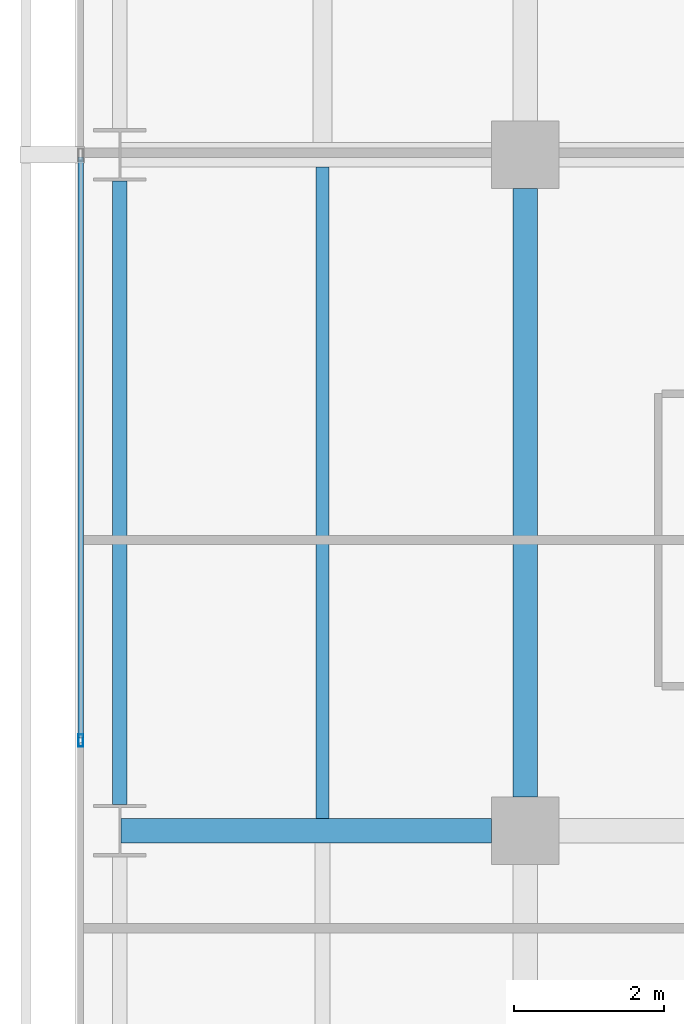
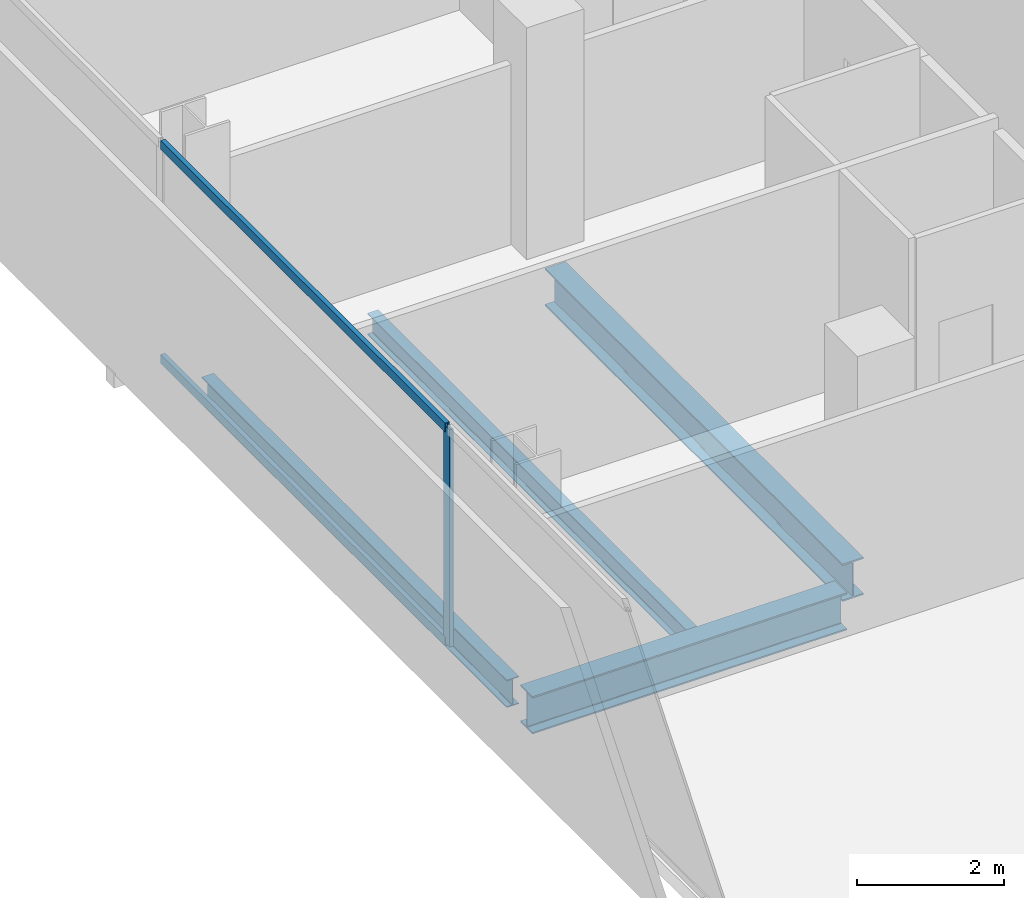
# One storey, part 10 of 39: 4 beams, 3 members, 1 element without a shape of its own.
"""IFC4 building model written with IfcOpenShell, lengths in metres."""

from ifc_helpers import new_model, si_unit, direction, frame, origin, origin_2d, place, context, subcontext, project, spatial, hollow_rectangle, i_section, extrude, material, layer, layer_set, material_profile, profile_set, type_object, element, aggregate, save


model = new_model("IFC4")

# Units and contexts
model_context = context("Model", 3, precision=1e-05, world=origin(), true_north=direction((0.0, 1.0)))
body_context = subcontext(model_context, "Body", "Model", "MODEL_VIEW")
ifc_project = project(units=[si_unit("LENGTHUNIT", "METRE"), si_unit("AREAUNIT", "SQUARE_METRE"), si_unit("VOLUMEUNIT", "CUBIC_METRE"), si_unit("PLANEANGLEUNIT", "RADIAN"), si_unit("MASSUNIT", "GRAM", prefix="KILO")], contexts=[model_context])

# Site, building, storey
site_placement = place(None, origin())
site = spatial("IfcSite", under=ifc_project, at=site_placement, CompositionType="ELEMENT")
building_placement = place(site_placement, origin())
building = spatial("IfcBuilding", under=site, at=building_placement, Name="Maruvema Waterfront Hotel and Observation Tower", CompositionType="ELEMENT")
storey_placement = place(building_placement, frame((0.0, 0.0, 46.199951171875)))
storey = spatial("IfcBuildingStorey", under=building, at=storey_placement, Name="L10", CompositionType="ELEMENT", Elevation=46.199951171875)

# Curtain wall, members
ifc_material_1 = material(Name="Anodised bronze aluminium and solar-control low-E IGU", Category="aluminium")
ifc_layer = layer(ifc_material_1, 0.159912109375, Name="Zone 1 Bronze Inner Thermal Curtain Wall System CW-02")
ifc_layer_set = layer_set([ifc_layer], Name="Anodised bronze aluminium and solar-control low-E IGU")
curtain_wall_type = type_object("IfcCurtainWallType", Name="Zone 1 Bronze Inner Thermal Curtain Wall System CW-02", PredefinedType="USERDEFINED", material=ifc_layer_set)
curtain_wall_placement = place(storey_placement, origin())
curtain_wall = element("IfcCurtainWall", 1, at=curtain_wall_placement, inside=storey, type_object=curtain_wall_type, Name="L10 Curtain Wall CW-L10-W", ObjectType="UNITISED CURTAIN WALL", PredefinedType="USERDEFINED")
ifc_material_2 = material(Name="Anodised architectural bronze aluminium", Category="aluminium")
ifc_material_profile_1 = material_profile(ifc_material_2, hollow_rectangle(XDim=0.070068359375, YDim=0.14990234375, WallThickness=0.00390625, at=origin_2d()), Name="ALU-T70x150")
ifc_profile_set_1 = profile_set([ifc_material_profile_1], Name="Anodised architectural bronze aluminium")
member_type_1 = type_object("IfcMemberType", Name="Curtain Wall Horizontal Transom ALU-T70x150", PredefinedType="USERDEFINED", material=ifc_profile_set_1)
member_1_placement = place(storey_placement, frame((10.8798828125, 26.969970703125, 0.030029296875), z_axis=(0.0, -1.0, 0.0), x_axis=(1.0, 0.0, 0.0)))
member_1 = element("IfcMember", 2, at=member_1_placement, type_object=member_type_1, Name="CW-02 transom 4.1", ObjectType="TRANSOM", PredefinedType="USERDEFINED", context=body_context, shape_type="SweptSolid", body=[
    extrude(hollow_rectangle(XDim=0.070068359375, YDim=0.14990234375, WallThickness=0.00390625, at=origin_2d()), origin(), (0.0, 0.0, 1.0), 7.739990234375),
])
member_2_placement = place(storey_placement, frame((10.8798828125, 26.969970703125, 3.580078125), z_axis=(0.0, -1.0, 0.0), x_axis=(1.0, 0.0, 0.0)))
member_2 = element("IfcMember", 3, at=member_2_placement, type_object=member_type_1, Name="CW-02 transom 4.2", ObjectType="TRANSOM", PredefinedType="USERDEFINED", context=body_context, shape_type="SweptSolid", body=[
    extrude(hollow_rectangle(XDim=0.070068359375, YDim=0.14990234375, WallThickness=0.00390625, at=origin_2d()), origin(), (0.0, 0.0, 1.0), 7.739990234375),
])
ifc_material_3 = material(Name="Anodised architectural bronze aluminium", Category="aluminium")
ifc_material_profile_2 = material_profile(ifc_material_3, hollow_rectangle(XDim=0.06494140625, YDim=0.1650390625, WallThickness=0.00390625, at=origin_2d()), Name="ALU-M65x165")
ifc_profile_set_2 = profile_set([ifc_material_profile_2], Name="Anodised architectural bronze aluminium")
member_type_2 = type_object("IfcMemberType", Name="Curtain Wall Primary Mullion ALU-M65x165", PredefinedType="MULLION", material=ifc_profile_set_2)
member_3_placement = place(storey_placement, frame((10.8798828125, 19.199951171875, 0.0), z_axis=(0.0, 0.0, 1.0), x_axis=(1.0, 0.0, 0.0)))
member_3 = element("IfcMember", 4, at=member_3_placement, type_object=member_type_2, Name="CW-02 mullion 5", PredefinedType="MULLION", context=body_context, shape_type="SweptSolid", body=[
    extrude(hollow_rectangle(XDim=0.06494140625, YDim=0.1650390625, WallThickness=0.00390625, at=origin_2d()), origin(), (0.0, 0.0, 1.0), 3.610107421875),
])
aggregate(curtain_wall, [member_3, member_1, member_2])

# Beams
ifc_material_4 = material(Name="Steel ASTM A572 Grade 50", Category="steel")
ifc_material_profile_3 = material_profile(ifc_material_4, i_section(OverallWidth=0.18994140625, OverallDepth=0.45703125, WebThickness=0.009033203125, FlangeThickness=0.014404296875, FilletRadius=0.014892578125, at=origin_2d()), Name="W460x74.0")
ifc_profile_set_3 = profile_set([ifc_material_profile_3], Name="Steel ASTM A572 Grade 50")
beam_type_1 = type_object("IfcBeamType", Name="Perimeter Spandrel Beam W460x74.0", PredefinedType="SPANDREL", material=ifc_profile_set_3)
beam_1_placement = place(storey_placement, frame((11.39990234375, 18.35009765625, -0.468505859375), z_axis=(0.0, 1.0, 0.0), x_axis=(-1.0, 0.0, 0.0)))
element("IfcBeam", 5, at=beam_1_placement, inside=storey, type_object=beam_type_1, Name="L10 Floor Girder NS-02", PredefinedType="SPANDREL", context=body_context, shape_type="SweptSolid", body=[
    extrude(i_section(OverallWidth=0.18994140625, OverallDepth=0.45703125, WebThickness=0.009033203125, FlangeThickness=0.014404296875, FilletRadius=0.014892578125, at=origin_2d()), origin(), (0.0, 0.0, 1.0), 8.2998046875),
])
ifc_material_5 = material(Name="Steel ASTM A572 Grade 50", Category="steel")
ifc_material_profile_4 = material_profile(ifc_material_5, i_section(OverallWidth=0.326904296875, OverallDepth=0.6220703125, WebThickness=0.015380859375, FlangeThickness=0.0244140625, FilletRadius=0.01806640625, at=origin_2d()), Name="W610x195.0")
ifc_profile_set_4 = profile_set([ifc_material_profile_4], Name="Steel ASTM A572 Grade 50")
beam_type_2 = type_object("IfcBeamType", Name="Primary Floor Girder W610x195.0", PredefinedType="BEAM", material=ifc_profile_set_4)
beam_2_placement = place(storey_placement, frame((11.4140625, 18.0, -0.551025390625), z_axis=(1.0, 0.0, 0.0), x_axis=(0.0, 1.0, 0.0)))
element("IfcBeam", 6, at=beam_2_placement, inside=storey, type_object=beam_type_2, Name="L10 Floor Girder EW-13", PredefinedType="BEAM", context=body_context, shape_type="SweptSolid", body=[
    extrude(i_section(OverallWidth=0.326904296875, OverallDepth=0.6220703125, WebThickness=0.015380859375, FlangeThickness=0.0244140625, FilletRadius=0.01806640625, at=origin_2d()), origin(), (0.0, 0.0, 1.0), 4.93603515625),
])
beam_3_placement = place(storey_placement, frame((16.800048828125, 18.449951171875, -0.551025390625), z_axis=(0.0, 1.0, 0.0), x_axis=(-1.0, 0.0, 0.0)))
element("IfcBeam", 7, at=beam_3_placement, inside=storey, type_object=beam_type_2, Name="L10 Floor Girder NS-07", PredefinedType="BEAM", context=body_context, shape_type="SweptSolid", body=[
    extrude(i_section(OverallWidth=0.326904296875, OverallDepth=0.6220703125, WebThickness=0.015380859375, FlangeThickness=0.0244140625, FilletRadius=0.01806640625, at=origin_2d()), origin(), (0.0, 0.0, 1.0), 8.10009765625),
])
ifc_material_6 = material(Name="Steel ASTM A572 Grade 50", Category="steel")
ifc_material_profile_5 = material_profile(ifc_material_6, i_section(OverallWidth=0.1708984375, OverallDepth=0.35498046875, WebThickness=0.007080078125, FlangeThickness=0.01171875, FilletRadius=0.014892578125, at=origin_2d()), Name="W360x51.0")
ifc_profile_set_5 = profile_set([ifc_material_profile_5], Name="Steel ASTM A572 Grade 50")
beam_type_3 = type_object("IfcBeamType", Name="Secondary Floor Joist W360x51.0", PredefinedType="JOIST", material=ifc_profile_set_5)
beam_4_placement = place(storey_placement, frame((14.10009765625, 18.16357421875, -0.41748046875), z_axis=(0.0, 1.0, 0.0), x_axis=(-1.0, 0.0, 0.0)))
element("IfcBeam", 8, at=beam_4_placement, inside=storey, type_object=beam_type_3, Name="L10 Secondary Floor Joist JS-02", PredefinedType="JOIST", context=body_context, shape_type="SweptSolid", body=[
    extrude(i_section(OverallWidth=0.1708984375, OverallDepth=0.35498046875, WebThickness=0.007080078125, FlangeThickness=0.01171875, FilletRadius=0.014892578125, at=origin_2d()), origin(), (0.0, 0.0, 1.0), 8.6728515625),
])

save(model, "model.ifc")
